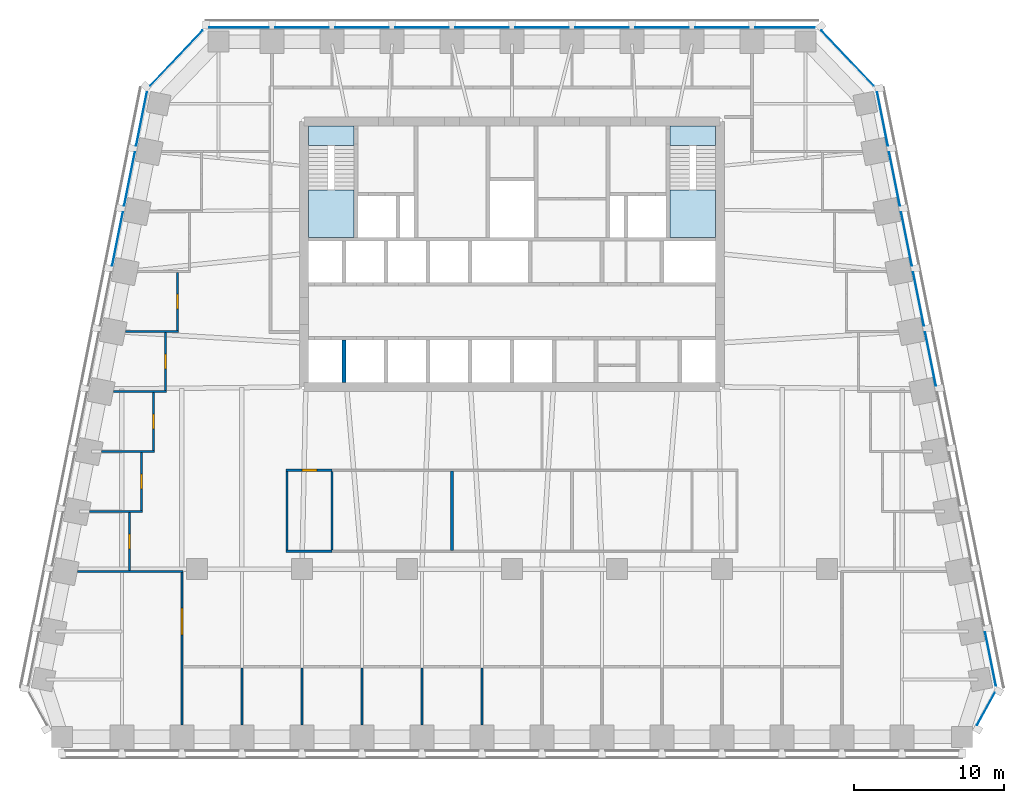
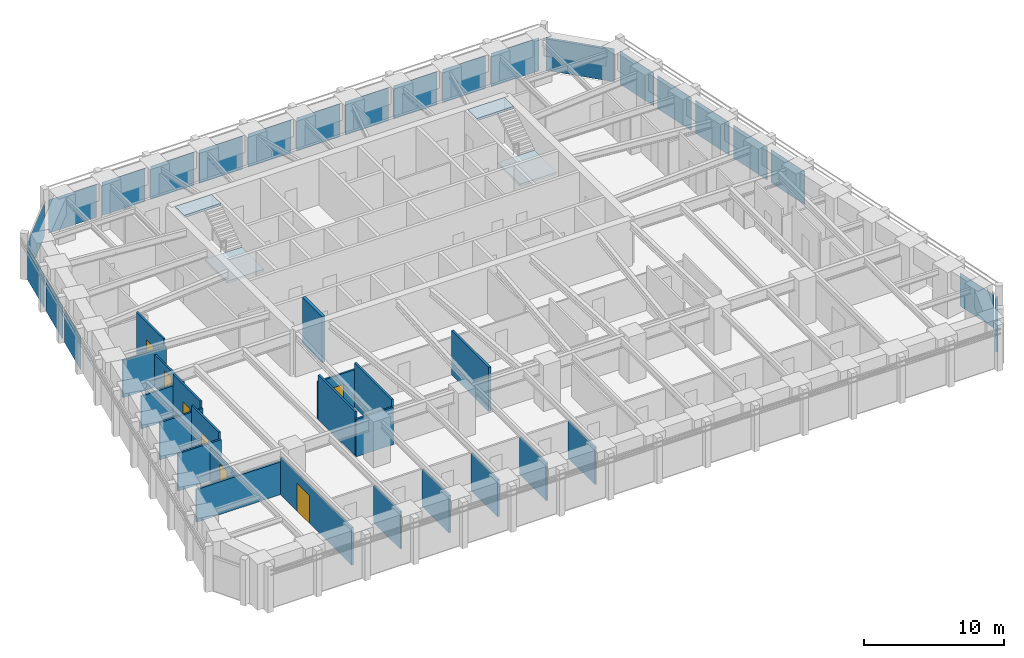
# One storey, part 5 of 11: 22 plates, 22 walls, 7 doors, 4 slabs, 7 openings, 8 elements without a shape of their own.
"""IFC4 building model written with IfcOpenShell, lengths in metres."""

from ifc_helpers import new_model, si_unit, direction, frame, frame_2d, origin, origin_2d, place, context, subcontext, project, spatial, polyline, rectangle, outline, extrude, material, layer, layer_set, type_object, element, fill, aggregate, save


model = new_model("IFC4")

# Units and contexts
model_context = context("Model", 3, precision=1e-05, world=origin(), true_north=direction((0.0, 1.0)))
body_context = subcontext(model_context, "Body", "Model", "MODEL_VIEW")
ifc_project = project(units=[si_unit("LENGTHUNIT", "METRE"), si_unit("AREAUNIT", "SQUARE_METRE"), si_unit("VOLUMEUNIT", "CUBIC_METRE"), si_unit("PLANEANGLEUNIT", "RADIAN"), si_unit("MASSUNIT", "GRAM", prefix="KILO")], contexts=[model_context])

# Site, building, storey
site_placement = place(None, origin())
site = spatial("IfcSite", under=ifc_project, at=site_placement, CompositionType="ELEMENT")
building_placement = place(site_placement, origin())
building = spatial("IfcBuilding", under=site, at=building_placement, Name="Isbrekke Arena Tower", CompositionType="ELEMENT")
storey_placement = place(building_placement, frame((0.0, 0.0, 202.0)))
storey = spatial("IfcBuildingStorey", under=building, at=storey_placement, Name="L46", CompositionType="ELEMENT", Elevation=202.0)

# Curtain wall, plate
ifc_material_1 = material(Name="Glazed aluminium curtain wall", Category="aluminium")
curtain_wall_type = type_object("IfcCurtainWallType", Name="CWH TOWER CURTAIN WALL HIGH ZONE", PredefinedType="USERDEFINED", material=ifc_material_1)
curtain_wall_1_placement = place(storey_placement, origin())
curtain_wall_1 = element("IfcCurtainWall", 1, at=curtain_wall_1_placement, inside=storey, type_object=curtain_wall_type, Name="CWH curtain wall L46-SE", ObjectType="TOWER CURTAIN WALL HIGH ZONE", PredefinedType="USERDEFINED")
ifc_material_2 = material(Name="Triple-glazed clear glass unit", Category="glass")
ifc_layer_1 = layer(ifc_material_2, 0.031982421875)
ifc_layer_set_1 = layer_set([ifc_layer_1], Name="CWH-P VISION PANEL")
plate_type = type_object("IfcPlateType", Name="CWH-P VISION PANEL", PredefinedType="CURTAIN_PANEL", material=ifc_layer_set_1)
plate_1_placement = place(storey_placement, frame((31.5908203125, -15.3154296875, 0.02001953125), z_axis=(0.0, 0.0, 1.0), x_axis=(0.481918749773, 0.876215908676, 0.0)))
plate_1 = element("IfcPlate", 2, at=plate_1_placement, type_object=plate_type, Name="CWH-P panel 1", PredefinedType="CURTAIN_PANEL", context=body_context, shape_type="SweptSolid", body=[
    extrude(rectangle(XDim=2.4423828125, YDim=0.031982421875, at=origin_2d()), origin(), (0.0, 0.0, 1.0), 2.8798828125),
])
aggregate(curtain_wall_1, [plate_1])

# Curtain wall, plates
curtain_wall_2_placement = place(storey_placement, origin())
curtain_wall_2 = element("IfcCurtainWall", 3, at=curtain_wall_2_placement, inside=storey, type_object=curtain_wall_type, Name="CWH curtain wall L46-E", ObjectType="TOWER CURTAIN WALL HIGH ZONE", PredefinedType="USERDEFINED")
plate_2_placement = place(storey_placement, frame((31.89794921875, -11.98046875, 0.02001953125), z_axis=(0.0, 0.0, 1.0), x_axis=(-0.196116135138, 0.980580675691, 0.0)))
plate_2 = element("IfcPlate", 4, at=plate_2_placement, type_object=plate_type, Name="CWH-P panel 1", PredefinedType="CURTAIN_PANEL", context=body_context, shape_type="SweptSolid", body=[
    extrude(rectangle(XDim=3.629150390625, YDim=0.031982421875, at=origin_2d()), origin(), (0.0, 0.0, 1.0), 2.8798828125),
])
plate_3_placement = place(storey_placement, frame((27.89794921875, 8.01953125, 0.02001953125), z_axis=(0.0, 0.0, 1.0), x_axis=(-0.196116135138, 0.980580675691, 0.0)))
plate_3 = element("IfcPlate", 5, at=plate_3_placement, type_object=plate_type, Name="CWH-P panel 6", PredefinedType="CURTAIN_PANEL", context=body_context, shape_type="SweptSolid", body=[
    extrude(rectangle(XDim=3.629150390625, YDim=0.031982421875, at=origin_2d()), origin(), (0.0, 0.0, 1.0), 2.8798828125),
])
plate_4_placement = place(storey_placement, frame((27.09814453125, 12.01953125, 0.02001953125), z_axis=(0.0, 0.0, 1.0), x_axis=(-0.196116135138, 0.980580675691, 0.0)))
plate_4 = element("IfcPlate", 6, at=plate_4_placement, type_object=plate_type, Name="CWH-P panel 7", PredefinedType="CURTAIN_PANEL", context=body_context, shape_type="SweptSolid", body=[
    extrude(rectangle(XDim=3.629150390625, YDim=0.031982421875, at=origin_2d()), origin(), (0.0, 0.0, 1.0), 2.8798828125),
])
plate_5_placement = place(storey_placement, frame((26.298095703125, 16.01953125, 0.02001953125), z_axis=(0.0, 0.0, 1.0), x_axis=(-0.196116135138, 0.980580675691, 0.0)))
plate_5 = element("IfcPlate", 7, at=plate_5_placement, type_object=plate_type, Name="CWH-P panel 8", PredefinedType="CURTAIN_PANEL", context=body_context, shape_type="SweptSolid", body=[
    extrude(rectangle(XDim=3.629150390625, YDim=0.031982421875, at=origin_2d()), origin(), (0.0, 0.0, 1.0), 2.8798828125),
])
plate_6_placement = place(storey_placement, frame((25.498046875, 20.01953125, 0.02001953125), z_axis=(0.0, 0.0, 1.0), x_axis=(-0.196116135138, 0.980580675691, 0.0)))
plate_6 = element("IfcPlate", 8, at=plate_6_placement, type_object=plate_type, Name="CWH-P panel 9", PredefinedType="CURTAIN_PANEL", context=body_context, shape_type="SweptSolid", body=[
    extrude(rectangle(XDim=3.629150390625, YDim=0.031982421875, at=origin_2d()), origin(), (0.0, 0.0, 1.0), 2.8798828125),
])
plate_7_placement = place(storey_placement, frame((24.697998046875, 24.01953125, 0.02001953125), z_axis=(0.0, 0.0, 1.0), x_axis=(-0.196116135138, 0.980580675691, 0.0)))
plate_7 = element("IfcPlate", 9, at=plate_7_placement, type_object=plate_type, Name="CWH-P panel 10", PredefinedType="CURTAIN_PANEL", context=body_context, shape_type="SweptSolid", body=[
    extrude(rectangle(XDim=3.629150390625, YDim=0.031982421875, at=origin_2d()), origin(), (0.0, 0.0, 1.0), 2.8798828125),
])
aggregate(curtain_wall_2, [plate_2, plate_3, plate_4, plate_5, plate_6, plate_7])

# Curtain wall, plate
curtain_wall_3_placement = place(storey_placement, origin())
curtain_wall_3 = element("IfcCurtainWall", 10, at=curtain_wall_3_placement, inside=storey, type_object=curtain_wall_type, Name="CWH curtain wall L46-EN", ObjectType="TOWER CURTAIN WALL HIGH ZONE", PredefinedType="USERDEFINED")
plate_8_placement = place(storey_placement, frame((22.37255859375, 28.06884765625, 0.02001953125), z_axis=(0.0, 0.0, 1.0), x_axis=(-0.68874946192, 0.72499943359, 0.0)))
plate_8 = element("IfcPlate", 11, at=plate_8_placement, type_object=plate_type, Name="CWH-P panel 1", PredefinedType="CURTAIN_PANEL", context=body_context, shape_type="SweptSolid", body=[
    extrude(rectangle(XDim=5.067138671875, YDim=0.031982421875, at=origin_2d()), origin(), (0.0, 0.0, 1.0), 2.8798828125),
])
aggregate(curtain_wall_3, [plate_8])

# Curtain wall, plates
curtain_wall_4_placement = place(storey_placement, origin())
curtain_wall_4 = element("IfcCurtainWall", 12, at=curtain_wall_4_placement, inside=storey, type_object=curtain_wall_type, Name="CWH curtain wall L46-N", ObjectType="TOWER CURTAIN WALL HIGH ZONE", PredefinedType="USERDEFINED")
plate_9_placement = place(storey_placement, frame((18.199951171875, 30.10009765625, 0.02001953125), z_axis=(0.0, 0.0, 1.0), x_axis=(-1.0, 0.0, 0.0)))
plate_9 = element("IfcPlate", 13, at=plate_9_placement, type_object=plate_type, Name="CWH-P panel 1", PredefinedType="CURTAIN_PANEL", context=body_context, shape_type="SweptSolid", body=[
    extrude(rectangle(XDim=3.949951171875, YDim=0.031982421875, at=origin_2d()), origin(), (0.0, 0.0, 1.0), 2.8798828125),
])
plate_10_placement = place(storey_placement, frame((14.0, 30.10009765625, 0.02001953125), z_axis=(0.0, 0.0, 1.0), x_axis=(-1.0, 0.0, 0.0)))
plate_10 = element("IfcPlate", 14, at=plate_10_placement, type_object=plate_type, Name="CWH-P panel 2", PredefinedType="CURTAIN_PANEL", context=body_context, shape_type="SweptSolid", body=[
    extrude(rectangle(XDim=3.550048828125, YDim=0.031982421875, at=origin_2d()), origin(), (0.0, 0.0, 1.0), 2.8798828125),
])
plate_11_placement = place(storey_placement, frame((10.0, 30.10009765625, 0.02001953125), z_axis=(0.0, 0.0, 1.0), x_axis=(-1.0, 0.0, 0.0)))
plate_11 = element("IfcPlate", 15, at=plate_11_placement, type_object=plate_type, Name="CWH-P panel 3", PredefinedType="CURTAIN_PANEL", context=body_context, shape_type="SweptSolid", body=[
    extrude(rectangle(XDim=3.550048828125, YDim=0.031982421875, at=origin_2d()), origin(), (0.0, 0.0, 1.0), 2.8798828125),
])
plate_12_placement = place(storey_placement, frame((6.0, 30.10009765625, 0.02001953125), z_axis=(0.0, 0.0, 1.0), x_axis=(-1.0, 0.0, 0.0)))
plate_12 = element("IfcPlate", 16, at=plate_12_placement, type_object=plate_type, Name="CWH-P panel 4", PredefinedType="CURTAIN_PANEL", context=body_context, shape_type="SweptSolid", body=[
    extrude(rectangle(XDim=3.550048828125, YDim=0.031982421875, at=origin_2d()), origin(), (0.0, 0.0, 1.0), 2.8798828125),
])
plate_13_placement = place(storey_placement, frame((2.0, 30.10009765625, 0.02001953125), z_axis=(0.0, 0.0, 1.0), x_axis=(-1.0, 0.0, 0.0)))
plate_13 = element("IfcPlate", 17, at=plate_13_placement, type_object=plate_type, Name="CWH-P panel 5", PredefinedType="CURTAIN_PANEL", context=body_context, shape_type="SweptSolid", body=[
    extrude(rectangle(XDim=3.550048828125, YDim=0.031982421875, at=origin_2d()), origin(), (0.0, 0.0, 1.0), 2.8798828125),
])
plate_14_placement = place(storey_placement, frame((-2.0, 30.10009765625, 0.02001953125), z_axis=(0.0, 0.0, 1.0), x_axis=(-1.0, 0.0, 0.0)))
plate_14 = element("IfcPlate", 18, at=plate_14_placement, type_object=plate_type, Name="CWH-P panel 6", PredefinedType="CURTAIN_PANEL", context=body_context, shape_type="SweptSolid", body=[
    extrude(rectangle(XDim=3.550048828125, YDim=0.031982421875, at=origin_2d()), origin(), (0.0, 0.0, 1.0), 2.8798828125),
])
plate_15_placement = place(storey_placement, frame((-6.0, 30.10009765625, 0.02001953125), z_axis=(0.0, 0.0, 1.0), x_axis=(-1.0, 0.0, 0.0)))
plate_15 = element("IfcPlate", 19, at=plate_15_placement, type_object=plate_type, Name="CWH-P panel 7", PredefinedType="CURTAIN_PANEL", context=body_context, shape_type="SweptSolid", body=[
    extrude(rectangle(XDim=3.550048828125, YDim=0.031982421875, at=origin_2d()), origin(), (0.0, 0.0, 1.0), 2.8798828125),
])
plate_16_placement = place(storey_placement, frame((-10.0, 30.10009765625, 0.02001953125), z_axis=(0.0, 0.0, 1.0), x_axis=(-1.0, 0.0, 0.0)))
plate_16 = element("IfcPlate", 20, at=plate_16_placement, type_object=plate_type, Name="CWH-P panel 8", PredefinedType="CURTAIN_PANEL", context=body_context, shape_type="SweptSolid", body=[
    extrude(rectangle(XDim=3.550048828125, YDim=0.031982421875, at=origin_2d()), origin(), (0.0, 0.0, 1.0), 2.8798828125),
])
plate_17_placement = place(storey_placement, frame((-14.0, 30.10009765625, 0.02001953125), z_axis=(0.0, 0.0, 1.0), x_axis=(-1.0, 0.0, 0.0)))
plate_17 = element("IfcPlate", 21, at=plate_17_placement, type_object=plate_type, Name="CWH-P panel 9", PredefinedType="CURTAIN_PANEL", context=body_context, shape_type="SweptSolid", body=[
    extrude(rectangle(XDim=3.550048828125, YDim=0.031982421875, at=origin_2d()), origin(), (0.0, 0.0, 1.0), 2.8798828125),
])
plate_18_placement = place(storey_placement, frame((-18.199951171875, 30.10009765625, 0.02001953125), z_axis=(0.0, 0.0, 1.0), x_axis=(-1.0, 0.0, 0.0)))
plate_18 = element("IfcPlate", 22, at=plate_18_placement, type_object=plate_type, Name="CWH-P panel 10", PredefinedType="CURTAIN_PANEL", context=body_context, shape_type="SweptSolid", body=[
    extrude(rectangle(XDim=3.949951171875, YDim=0.031982421875, at=origin_2d()), origin(), (0.0, 0.0, 1.0), 2.8798828125),
])
aggregate(curtain_wall_4, [plate_9, plate_10, plate_11, plate_12, plate_13, plate_14, plate_15, plate_16, plate_17, plate_18])

# Curtain wall, plate
curtain_wall_5_placement = place(storey_placement, origin())
curtain_wall_5 = element("IfcCurtainWall", 23, at=curtain_wall_5_placement, inside=storey, type_object=curtain_wall_type, Name="CWH curtain wall L46-NW", ObjectType="TOWER CURTAIN WALL HIGH ZONE", PredefinedType="USERDEFINED")
plate_19_placement = place(storey_placement, frame((-22.37255859375, 28.06884765625, 0.02001953125), z_axis=(0.0, 0.0, 1.0), x_axis=(-0.68874946192, -0.72499943359, 0.0)))
plate_19 = element("IfcPlate", 24, at=plate_19_placement, type_object=plate_type, Name="CWH-P panel 1", PredefinedType="CURTAIN_PANEL", context=body_context, shape_type="SweptSolid", body=[
    extrude(rectangle(XDim=5.067138671875, YDim=0.031982421875, at=origin_2d()), origin(), (0.0, 0.0, 1.0), 2.8798828125),
])
aggregate(curtain_wall_5, [plate_19])

# Curtain wall, plates
curtain_wall_6_placement = place(storey_placement, origin())
curtain_wall_6 = element("IfcCurtainWall", 25, at=curtain_wall_6_placement, inside=storey, type_object=curtain_wall_type, Name="CWH curtain wall L46-W", ObjectType="TOWER CURTAIN WALL HIGH ZONE", PredefinedType="USERDEFINED")
plate_20_placement = place(storey_placement, frame((-24.697998046875, 24.01953125, 0.02001953125), z_axis=(0.0, 0.0, 1.0), x_axis=(-0.196116135138, -0.980580675691, 0.0)))
plate_20 = element("IfcPlate", 26, at=plate_20_placement, type_object=plate_type, Name="CWH-P panel 1", PredefinedType="CURTAIN_PANEL", context=body_context, shape_type="SweptSolid", body=[
    extrude(rectangle(XDim=3.629150390625, YDim=0.031982421875, at=origin_2d()), origin(), (0.0, 0.0, 1.0), 2.8798828125),
])
plate_21_placement = place(storey_placement, frame((-25.498046875, 20.01953125, 0.02001953125), z_axis=(0.0, 0.0, 1.0), x_axis=(-0.196116135138, -0.980580675691, 0.0)))
plate_21 = element("IfcPlate", 27, at=plate_21_placement, type_object=plate_type, Name="CWH-P panel 2", PredefinedType="CURTAIN_PANEL", context=body_context, shape_type="SweptSolid", body=[
    extrude(rectangle(XDim=3.629150390625, YDim=0.031982421875, at=origin_2d()), origin(), (0.0, 0.0, 1.0), 2.8798828125),
])
plate_22_placement = place(storey_placement, frame((-26.298095703125, 16.01953125, 0.02001953125), z_axis=(0.0, 0.0, 1.0), x_axis=(-0.196116135138, -0.980580675691, 0.0)))
plate_22 = element("IfcPlate", 28, at=plate_22_placement, type_object=plate_type, Name="CWH-P panel 3", PredefinedType="CURTAIN_PANEL", context=body_context, shape_type="SweptSolid", body=[
    extrude(rectangle(XDim=3.629150390625, YDim=0.031982421875, at=origin_2d()), origin(), (0.0, 0.0, 1.0), 2.8798828125),
])
aggregate(curtain_wall_6, [plate_20, plate_21, plate_22])

# Stair, slabs
ifc_material_3 = material(Name="Concrete B45 (C45/55) precast", Category="concrete")
stair_type = type_object("IfcStairType", Name="ST40 STAIR 1300 WIDE, 24 RISERS 167", PredefinedType="HALF_TURN_STAIR", material=ifc_material_3)
stair_1_placement = place(storey_placement, origin())
stair_1 = element("IfcStair", 29, at=stair_1_placement, inside=storey, type_object=stair_type, Name="ST1 stair L46", PredefinedType="HALF_TURN_STAIR")
ifc_material_4 = material(Name="Concrete B35 (C35/45)", Category="concrete")
ifc_layer_2 = layer(ifc_material_4, 0.199951171875)
ifc_layer_set_2 = layer_set([ifc_layer_2], Name="SL1 STAIR LANDING 200")
slab_type = type_object("IfcSlabType", Name="SL1 STAIR LANDING 200", PredefinedType="LANDING", material=ifc_layer_set_2)
slab_1_placement = place(storey_placement, frame((0.0, 0.0, 1.800048828125)))
slab_1 = element("IfcSlab", 30, at=slab_1_placement, type_object=slab_type, Name="ST1 landing 1", PredefinedType="LANDING", context=body_context, shape_type="SweptSolid", body=[
    extrude(outline(polyline([(-13.550048828125, 16.125), (-10.52490234375, 16.125), (-10.52490234375, 19.280029296875), (-13.550048828125, 19.280029296875), (-13.550048828125, 16.125)])), origin(), (0.0, 0.0, 1.0), 0.199951171875),
])
slab_2_placement = place(storey_placement, frame((0.0, 0.0, 3.800048828125)))
slab_2 = element("IfcSlab", 31, at=slab_2_placement, type_object=slab_type, Name="ST1 landing 2", PredefinedType="LANDING", context=body_context, shape_type="SweptSolid", body=[
    extrude(outline(polyline([(-13.550048828125, 22.25), (-10.52490234375, 22.25), (-10.52490234375, 23.550048828125), (-13.550048828125, 23.550048828125), (-13.550048828125, 22.25)])), origin(), (0.0, 0.0, 1.0), 0.199951171875),
])
aggregate(stair_1, [slab_1, slab_2])

stair_2_placement = place(storey_placement, origin())
stair_2 = element("IfcStair", 32, at=stair_2_placement, inside=storey, type_object=stair_type, Name="ST2 stair L46", PredefinedType="HALF_TURN_STAIR")
slab_3_placement = place(storey_placement, frame((0.0, 0.0, 1.800048828125)))
slab_3 = element("IfcSlab", 33, at=slab_3_placement, type_object=slab_type, Name="ST2 landing 1", PredefinedType="LANDING", context=body_context, shape_type="SweptSolid", body=[
    extrude(outline(polyline([(10.52490234375, 16.125), (13.550048828125, 16.125), (13.550048828125, 19.280029296875), (10.52490234375, 19.280029296875), (10.52490234375, 16.125)])), origin(), (0.0, 0.0, 1.0), 0.199951171875),
])
slab_4_placement = place(storey_placement, frame((0.0, 0.0, 3.800048828125)))
slab_4 = element("IfcSlab", 34, at=slab_4_placement, type_object=slab_type, Name="ST2 landing 2", PredefinedType="LANDING", context=body_context, shape_type="SweptSolid", body=[
    extrude(outline(polyline([(10.52490234375, 22.25), (13.550048828125, 22.25), (13.550048828125, 23.550048828125), (10.52490234375, 23.550048828125), (10.52490234375, 22.25)])), origin(), (0.0, 0.0, 1.0), 0.199951171875),
])
aggregate(stair_2, [slab_3, slab_4])

# Walls
ifc_material_5 = material(Name="Concrete B45 (C45/55)", Category="concrete")
ifc_layer_3 = layer(ifc_material_5, 0.25)
ifc_layer_set_3 = layer_set([ifc_layer_3], Name="CW6 SHAFT WALL 250")
wall_type_1 = type_object("IfcWallType", Name="CW6 SHAFT WALL 250", PredefinedType="SHEAR", material=ifc_layer_set_3)
wall_1_placement = place(storey_placement, frame((-11.199951171875, 6.449951171875, 0.0), z_axis=(0.0, 0.0, 1.0), x_axis=(0.0, 1.0, 0.0)))
element("IfcWall", 35, at=wall_1_placement, inside=storey, type_object=wall_type_1, Name="Core wall SS01 L46", PredefinedType="SHEAR", context=body_context, shape_type="SweptSolid", body=[
    extrude(rectangle(XDim=2.824951171875, YDim=0.25, at=frame_2d((1.41259765625, 0.0))), origin(), (0.0, 0.0, 1.0), 4.0),
])
ifc_material_6 = material(Name="Gypsum board partition on steel studs", Category="steel")
ifc_layer_4 = layer(ifc_material_6, 0.14990234375)
ifc_layer_set_4 = layer_set([ifc_layer_4], Name="IW1 PARTITION 150")
wall_type_2 = type_object("IfcWallType", Name="IW1 PARTITION 150", PredefinedType="PARTITIONING", material=ifc_layer_set_4)
wall_2_placement = place(storey_placement, frame((-28.974853515625, -6.159912109375, 0.0), z_axis=(0.0, 0.0, 1.0), x_axis=(1.0, 0.0, 0.0)))
element("IfcWall", 36, at=wall_2_placement, inside=storey, type_object=wall_type_2, Name="IW1 partition 150 L46", PredefinedType="PARTITIONING", context=body_context, shape_type="SweptSolid", body=[
    extrude(rectangle(XDim=7.0498046875, YDim=0.14990234375, at=frame_2d((3.52490234375, 0.0))), origin(), (0.0, 0.0, 1.0), 2.842041015625),
])
wall_3_placement = place(storey_placement, frame((-15.074951171875, -4.800048828125, 0.0), z_axis=(0.0, 0.0, 1.0), x_axis=(1.0, 0.0, 0.0)))
element("IfcWall", 37, at=wall_3_placement, inside=storey, type_object=wall_type_2, Name="IW1 partition 150 L46", PredefinedType="PARTITIONING", context=body_context, shape_type="SweptSolid", body=[
    extrude(rectangle(XDim=3.074951171875, YDim=0.14990234375, at=frame_2d((1.53759765625, 0.0))), origin(), (0.0, 0.0, 1.0), 3.25),
])
wall_4_placement = place(storey_placement, frame((-28.1748046875, -2.159912109375, 0.0), z_axis=(0.0, 0.0, 1.0), x_axis=(1.0, 0.0, 0.0)))
element("IfcWall", 38, at=wall_4_placement, inside=storey, type_object=wall_type_2, Name="IW1 partition 150 L46", PredefinedType="PARTITIONING", context=body_context, shape_type="SweptSolid", body=[
    extrude(rectangle(XDim=3.5498046875, YDim=0.14990234375, at=frame_2d((1.77490234375, 0.0))), origin(), (0.0, 0.0, 1.0), 3.25),
])

# Wall, opening, door
wall_5_placement = place(storey_placement, frame((-15.074951171875, 0.60009765625, 0.0), z_axis=(0.0, 0.0, 1.0), x_axis=(1.0, 0.0, 0.0)))
wall_5 = element("IfcWall", 39, at=wall_5_placement, inside=storey, type_object=wall_type_2, Name="IW1 partition 150 L46", PredefinedType="PARTITIONING", context=body_context, shape_type="SweptSolid", body=[
    extrude(rectangle(XDim=3.074951171875, YDim=0.14990234375, at=frame_2d((1.53759765625, 0.0))), origin(), (0.0, 0.0, 1.0), 3.25),
])
opening_1_placement = place(wall_5_placement, frame((1.074951171875, 0.0, 0.0)))
opening_1 = element("IfcOpeningElement", 40, at=opening_1_placement, cuts=wall_5, Name="Opening D10", PredefinedType="OPENING", context=body_context, shape_type="SweptSolid", body=[
    extrude(rectangle(XDim=1.0, YDim=2.300048828125, at=frame_2d((0.5, 1.14990234375))), frame((0.0, 0.08984375, 0.0), z_axis=(0.0, -1.0, 0.0), x_axis=(1.0, 0.0, 0.0)), (0.0, 0.0, 1.0), 0.1796875),
])
ifc_material_7 = material(Name="Timber door", Category="wood")
door_type_1 = type_object("IfcDoorType", Name="D10 OFFICE DOOR 1000 x 2300", OperationType="SINGLE_SWING_LEFT", PredefinedType="DOOR", material=ifc_material_7)
door_1_placement = place(opening_1_placement, origin())
door_1 = element("IfcDoor", 41, at=door_1_placement, inside=storey, type_object=door_type_1, Name="D10 pantry door L46", OperationType="SINGLE_SWING_LEFT", OverallHeight=2.300048828125, OverallWidth=1.0, PredefinedType="DOOR", context=body_context, shape_type="SweptSolid", body=[
    extrude(rectangle(XDim=1.0, YDim=2.300048828125, at=frame_2d((0.5, 1.14990234375))), frame((0.0, 0.07470703125, 0.0), z_axis=(0.0, -1.0, 0.0), x_axis=(1.0, 0.0, 0.0)), (0.0, 0.0, 1.0), 0.1494140625),
])
fill(opening_1, door_1)

# Walls
wall_6_placement = place(storey_placement, frame((-27.374755859375, 1.840087890625, 0.0), z_axis=(0.0, 0.0, 1.0), x_axis=(1.0, 0.0, 0.0)))
element("IfcWall", 42, at=wall_6_placement, inside=storey, type_object=wall_type_2, Name="IW1 partition 150 L46", PredefinedType="PARTITIONING", context=body_context, shape_type="SweptSolid", body=[
    extrude(rectangle(XDim=3.5498046875, YDim=0.14990234375, at=frame_2d((1.77490234375, 0.0))), origin(), (0.0, 0.0, 1.0), 3.25),
])
wall_7_placement = place(storey_placement, frame((-26.57470703125, 5.840087890625, 0.0), z_axis=(0.0, 0.0, 1.0), x_axis=(1.0, 0.0, 0.0)))
element("IfcWall", 43, at=wall_7_placement, inside=storey, type_object=wall_type_2, Name="IW1 partition 150 L46", PredefinedType="PARTITIONING", context=body_context, shape_type="SweptSolid", body=[
    extrude(rectangle(XDim=3.5498046875, YDim=0.14990234375, at=frame_2d((1.77490234375, 0.0))), origin(), (0.0, 0.0, 1.0), 2.842041015625),
])
wall_8_placement = place(storey_placement, frame((-25.77490234375, 9.840087890625, 0.0), z_axis=(0.0, 0.0, 1.0), x_axis=(1.0, 0.0, 0.0)))
element("IfcWall", 44, at=wall_8_placement, inside=storey, type_object=wall_type_2, Name="IW1 partition 150 L46", PredefinedType="PARTITIONING", context=body_context, shape_type="SweptSolid", body=[
    extrude(rectangle(XDim=3.5498046875, YDim=0.14990234375, at=frame_2d((1.77490234375, 0.0))), origin(), (0.0, 0.0, 1.0), 3.25),
])

# Wall, opening, door
wall_9_placement = place(storey_placement, frame((-25.5, -6.0849609375, 0.0), z_axis=(0.0, 0.0, 1.0), x_axis=(0.0, 1.0, 0.0)))
wall_9 = element("IfcWall", 45, at=wall_9_placement, inside=storey, type_object=wall_type_2, Name="IW1 partition 150 L46", PredefinedType="PARTITIONING", context=body_context, shape_type="SweptSolid", body=[
    extrude(rectangle(XDim=3.849853515625, YDim=0.14990234375, at=frame_2d((1.9248046875, 0.0))), origin(), (0.0, 0.0, 1.0), 2.842041015625),
])
opening_2_placement = place(wall_9_placement, frame((1.425048828125, 0.0, 0.0)))
opening_2 = element("IfcOpeningElement", 46, at=opening_2_placement, cuts=wall_9, Name="Opening D10", PredefinedType="OPENING", context=body_context, shape_type="SweptSolid", body=[
    extrude(rectangle(XDim=1.0, YDim=2.300048828125, at=frame_2d((0.5, 1.14990234375))), frame((0.0, 0.08984375, 0.0), z_axis=(0.0, -1.0, 0.0), x_axis=(1.0, 0.0, 0.0)), (0.0, 0.0, 1.0), 0.1796875),
])
door_2_placement = place(opening_2_placement, origin())
door_2 = element("IfcDoor", 47, at=door_2_placement, inside=storey, type_object=door_type_1, Name="D10 office door L46", OperationType="SINGLE_SWING_LEFT", OverallHeight=2.300048828125, OverallWidth=1.0, PredefinedType="DOOR", context=body_context, shape_type="SweptSolid", body=[
    extrude(rectangle(XDim=1.0, YDim=2.300048828125, at=frame_2d((0.5, 1.14990234375))), frame((0.0, 0.07470703125, 0.0), z_axis=(0.0, -1.0, 0.0), x_axis=(1.0, 0.0, 0.0)), (0.0, 0.0, 1.0), 0.1494140625),
])
fill(opening_2, door_2)

wall_10_placement = place(storey_placement, frame((-24.699951171875, -2.0849609375, 0.0), z_axis=(0.0, 0.0, 1.0), x_axis=(0.0, 1.0, 0.0)))
wall_10 = element("IfcWall", 48, at=wall_10_placement, inside=storey, type_object=wall_type_2, Name="IW1 partition 150 L46", PredefinedType="PARTITIONING", context=body_context, shape_type="SweptSolid", body=[
    extrude(rectangle(XDim=3.849853515625, YDim=0.14990234375, at=frame_2d((1.9248046875, 0.0))), origin(), (0.0, 0.0, 1.0), 3.85009765625),
])
opening_3_placement = place(wall_10_placement, frame((1.425048828125, 0.0, 0.0)))
opening_3 = element("IfcOpeningElement", 49, at=opening_3_placement, cuts=wall_10, Name="Opening D10", PredefinedType="OPENING", context=body_context, shape_type="SweptSolid", body=[
    extrude(rectangle(XDim=1.0, YDim=2.300048828125, at=frame_2d((0.5, 1.14990234375))), frame((0.0, 0.08984375, 0.0), z_axis=(0.0, -1.0, 0.0), x_axis=(1.0, 0.0, 0.0)), (0.0, 0.0, 1.0), 0.1796875),
])
door_3_placement = place(opening_3_placement, origin())
door_3 = element("IfcDoor", 50, at=door_3_placement, inside=storey, type_object=door_type_1, Name="D10 office door L46", OperationType="SINGLE_SWING_LEFT", OverallHeight=2.300048828125, OverallWidth=1.0, PredefinedType="DOOR", context=body_context, shape_type="SweptSolid", body=[
    extrude(rectangle(XDim=1.0, YDim=2.300048828125, at=frame_2d((0.5, 1.14990234375))), frame((0.0, 0.07470703125, 0.0), z_axis=(0.0, -1.0, 0.0), x_axis=(1.0, 0.0, 0.0)), (0.0, 0.0, 1.0), 0.1494140625),
])
fill(opening_3, door_3)

wall_11_placement = place(storey_placement, frame((-23.89990234375, 1.9150390625, 0.0), z_axis=(0.0, 0.0, 1.0), x_axis=(0.0, 1.0, 0.0)))
wall_11 = element("IfcWall", 51, at=wall_11_placement, inside=storey, type_object=wall_type_2, Name="IW1 partition 150 L46", PredefinedType="PARTITIONING", context=body_context, shape_type="SweptSolid", body=[
    extrude(rectangle(XDim=3.849853515625, YDim=0.14990234375, at=frame_2d((1.9248046875, 0.0))), origin(), (0.0, 0.0, 1.0), 3.85009765625),
])
opening_4_placement = place(wall_11_placement, frame((1.425048828125, 0.0, 0.0)))
opening_4 = element("IfcOpeningElement", 52, at=opening_4_placement, cuts=wall_11, Name="Opening D10", PredefinedType="OPENING", context=body_context, shape_type="SweptSolid", body=[
    extrude(rectangle(XDim=1.0, YDim=2.300048828125, at=frame_2d((0.5, 1.14990234375))), frame((0.0, 0.08984375, 0.0), z_axis=(0.0, -1.0, 0.0), x_axis=(1.0, 0.0, 0.0)), (0.0, 0.0, 1.0), 0.1796875),
])
door_4_placement = place(opening_4_placement, origin())
door_4 = element("IfcDoor", 53, at=door_4_placement, inside=storey, type_object=door_type_1, Name="D10 office door L46", OperationType="SINGLE_SWING_LEFT", OverallHeight=2.300048828125, OverallWidth=1.0, PredefinedType="DOOR", context=body_context, shape_type="SweptSolid", body=[
    extrude(rectangle(XDim=1.0, YDim=2.300048828125, at=frame_2d((0.5, 1.14990234375))), frame((0.0, 0.07470703125, 0.0), z_axis=(0.0, -1.0, 0.0), x_axis=(1.0, 0.0, 0.0)), (0.0, 0.0, 1.0), 0.1494140625),
])
fill(opening_4, door_4)

wall_12_placement = place(storey_placement, frame((-23.10009765625, 5.9150390625, 0.0), z_axis=(0.0, 0.0, 1.0), x_axis=(0.0, 1.0, 0.0)))
wall_12 = element("IfcWall", 54, at=wall_12_placement, inside=storey, type_object=wall_type_2, Name="IW1 partition 150 L46", PredefinedType="PARTITIONING", context=body_context, shape_type="SweptSolid", body=[
    extrude(rectangle(XDim=3.849853515625, YDim=0.14990234375, at=frame_2d((1.9248046875, 0.0))), origin(), (0.0, 0.0, 1.0), 2.842041015625),
])
opening_5_placement = place(wall_12_placement, frame((1.425048828125, 0.0, 0.0)))
opening_5 = element("IfcOpeningElement", 55, at=opening_5_placement, cuts=wall_12, Name="Opening D10", PredefinedType="OPENING", context=body_context, shape_type="SweptSolid", body=[
    extrude(rectangle(XDim=1.0, YDim=2.300048828125, at=frame_2d((0.5, 1.14990234375))), frame((0.0, 0.08984375, 0.0), z_axis=(0.0, -1.0, 0.0), x_axis=(1.0, 0.0, 0.0)), (0.0, 0.0, 1.0), 0.1796875),
])
door_5_placement = place(opening_5_placement, origin())
door_5 = element("IfcDoor", 56, at=door_5_placement, inside=storey, type_object=door_type_1, Name="D10 office door L46", OperationType="SINGLE_SWING_LEFT", OverallHeight=2.300048828125, OverallWidth=1.0, PredefinedType="DOOR", context=body_context, shape_type="SweptSolid", body=[
    extrude(rectangle(XDim=1.0, YDim=2.300048828125, at=frame_2d((0.5, 1.14990234375))), frame((0.0, 0.07470703125, 0.0), z_axis=(0.0, -1.0, 0.0), x_axis=(1.0, 0.0, 0.0)), (0.0, 0.0, 1.0), 0.1494140625),
])
fill(opening_5, door_5)

wall_13_placement = place(storey_placement, frame((-22.300048828125, 9.9150390625, 0.0), z_axis=(0.0, 0.0, 1.0), x_axis=(0.0, 1.0, 0.0)))
wall_13 = element("IfcWall", 57, at=wall_13_placement, inside=storey, type_object=wall_type_2, Name="IW1 partition 150 L46", PredefinedType="PARTITIONING", context=body_context, shape_type="SweptSolid", body=[
    extrude(rectangle(XDim=3.849853515625, YDim=0.14990234375, at=frame_2d((1.9248046875, 0.0))), origin(), (0.0, 0.0, 1.0), 3.85009765625),
])
opening_6_placement = place(wall_13_placement, frame((1.425048828125, 0.0, 0.0)))
opening_6 = element("IfcOpeningElement", 58, at=opening_6_placement, cuts=wall_13, Name="Opening D10", PredefinedType="OPENING", context=body_context, shape_type="SweptSolid", body=[
    extrude(rectangle(XDim=1.0, YDim=2.300048828125, at=frame_2d((0.5, 1.14990234375))), frame((0.0, 0.08984375, 0.0), z_axis=(0.0, -1.0, 0.0), x_axis=(1.0, 0.0, 0.0)), (0.0, 0.0, 1.0), 0.1796875),
])
door_6_placement = place(opening_6_placement, origin())
door_6 = element("IfcDoor", 59, at=door_6_placement, inside=storey, type_object=door_type_1, Name="D10 office door L46", OperationType="SINGLE_SWING_LEFT", OverallHeight=2.300048828125, OverallWidth=1.0, PredefinedType="DOOR", context=body_context, shape_type="SweptSolid", body=[
    extrude(rectangle(XDim=1.0, YDim=2.300048828125, at=frame_2d((0.5, 1.14990234375))), frame((0.0, 0.07470703125, 0.0), z_axis=(0.0, -1.0, 0.0), x_axis=(1.0, 0.0, 0.0)), (0.0, 0.0, 1.0), 0.1494140625),
])
fill(opening_6, door_6)

wall_14_placement = place(storey_placement, frame((-22.0, -16.375, 0.0), z_axis=(0.0, 0.0, 1.0), x_axis=(0.0, 1.0, 0.0)))
wall_14 = element("IfcWall", 60, at=wall_14_placement, inside=storey, type_object=wall_type_2, Name="IW1 partition 150 L46", PredefinedType="PARTITIONING", context=body_context, shape_type="SweptSolid", body=[
    extrude(rectangle(XDim=10.139892578125, YDim=0.14990234375, at=frame_2d((5.06982421875, 0.0))), origin(), (0.0, 0.0, 1.0), 3.25),
])
opening_7_placement = place(wall_14_placement, frame((5.97509765625, 0.0, 0.0)))
opening_7 = element("IfcOpeningElement", 61, at=opening_7_placement, cuts=wall_14, Name="Opening D13", PredefinedType="OPENING", context=body_context, shape_type="SweptSolid", body=[
    extrude(rectangle(XDim=1.800048828125, YDim=2.39990234375, at=frame_2d((0.89990234375, 1.199951171875))), frame((0.0, 0.08984375, 0.0), z_axis=(0.0, -1.0, 0.0), x_axis=(1.0, 0.0, 0.0)), (0.0, 0.0, 1.0), 0.1796875),
])
ifc_material_8 = material(Name="Timber door pair", Category="wood")
door_type_2 = type_object("IfcDoorType", Name="D13 DOUBLE ROOM DOOR 1800 x 2400", OperationType="DOUBLE_DOOR_SINGLE_SWING", PredefinedType="DOOR", material=ifc_material_8)
door_7_placement = place(opening_7_placement, origin())
door_7 = element("IfcDoor", 62, at=door_7_placement, inside=storey, type_object=door_type_2, Name="D13 office door L46", OperationType="DOUBLE_DOOR_SINGLE_SWING", OverallHeight=2.39990234375, OverallWidth=1.800048828125, PredefinedType="DOOR", context=body_context, shape_type="SweptSolid", body=[
    extrude(rectangle(XDim=1.800048828125, YDim=2.39990234375, at=frame_2d((0.89990234375, 1.199951171875))), frame((0.0, 0.07470703125, 0.0), z_axis=(0.0, -1.0, 0.0), x_axis=(1.0, 0.0, 0.0)), (0.0, 0.0, 1.0), 0.1494140625),
])
fill(opening_7, door_7)

# Walls
wall_15_placement = place(storey_placement, frame((-18.0, -16.375, 0.0), z_axis=(0.0, 0.0, 1.0), x_axis=(0.0, 1.0, 0.0)))
element("IfcWall", 63, at=wall_15_placement, inside=storey, type_object=wall_type_2, Name="IW1 partition 150 L46", PredefinedType="PARTITIONING", context=body_context, shape_type="SweptSolid", body=[
    extrude(rectangle(XDim=3.800048828125, YDim=0.14990234375, at=frame_2d((1.89990234375, 0.0))), origin(), (0.0, 0.0, 1.0), 3.25),
])
wall_16_placement = place(storey_placement, frame((-15.0, -4.72509765625, 0.0), z_axis=(0.0, 0.0, 1.0), x_axis=(0.0, 1.0, 0.0)))
element("IfcWall", 64, at=wall_16_placement, inside=storey, type_object=wall_type_2, Name="IW1 partition 150 L46", PredefinedType="PARTITIONING", context=body_context, shape_type="SweptSolid", body=[
    extrude(rectangle(XDim=5.25, YDim=0.14990234375, at=frame_2d((2.625, 0.0))), origin(), (0.0, 0.0, 1.0), 3.85009765625),
])
wall_17_placement = place(storey_placement, frame((-14.0, -16.375, 0.0), z_axis=(0.0, 0.0, 1.0), x_axis=(0.0, 1.0, 0.0)))
element("IfcWall", 65, at=wall_17_placement, inside=storey, type_object=wall_type_2, Name="IW1 partition 150 L46", PredefinedType="PARTITIONING", context=body_context, shape_type="SweptSolid", body=[
    extrude(rectangle(XDim=3.800048828125, YDim=0.14990234375, at=frame_2d((1.89990234375, 0.0))), origin(), (0.0, 0.0, 1.0), 3.25),
])
wall_18_placement = place(storey_placement, frame((-12.0, -4.72509765625, 0.0), z_axis=(0.0, 0.0, 1.0), x_axis=(0.0, 1.0, 0.0)))
element("IfcWall", 66, at=wall_18_placement, inside=storey, type_object=wall_type_2, Name="IW1 partition 150 L46", PredefinedType="PARTITIONING", context=body_context, shape_type="SweptSolid", body=[
    extrude(rectangle(XDim=5.25, YDim=0.14990234375, at=frame_2d((2.625, 0.0))), origin(), (0.0, 0.0, 1.0), 3.85009765625),
])
for number, where, z_axis, x_axis, name in (
    (67, (-10.0, -16.375, 0.0), (0.0, 0.0, 1.0), (0.0, 1.0, 0.0), "IW1 partition 150 L46"),
    (68, (-6.0, -16.375, 0.0), (0.0, 0.0, 1.0), (0.0, 1.0, 0.0), "IW1 partition 150 L46"),
    (69, (-2.0, -16.375, 0.0), (0.0, 0.0, 1.0), (0.0, 1.0, 0.0), "IW1 partition 150 L46"),
):
    element("IfcWall", number, at=place(storey_placement, frame(where, z_axis=z_axis, x_axis=x_axis)), inside=storey, type_object=wall_type_2, Name=name, PredefinedType="PARTITIONING", context=body_context, shape_type="SweptSolid", body=[
        extrude(rectangle(XDim=3.800048828125, YDim=0.14990234375, at=frame_2d((1.89990234375, 0.0))), origin(), (0.0, 0.0, 1.0), 3.25),
    ])
ifc_material_9 = material(Name="Gypsum board acoustic partition on twin steel studs", Category="steel")
ifc_layer_5 = layer(ifc_material_9, 0.175048828125)
ifc_layer_set_5 = layer_set([ifc_layer_5], Name="IW4 ACOUSTIC PARTITION 175")
wall_type_3 = type_object("IfcWallType", Name="IW4 ACOUSTIC PARTITION 175", PredefinedType="PARTITIONING", material=ifc_layer_set_5)
wall_19_placement = place(storey_placement, frame((-4.0, -4.739990234375, 0.0), z_axis=(0.0, 0.0, 1.0), x_axis=(0.0, 1.0, 0.0)))
element("IfcWall", 70, at=wall_19_placement, inside=storey, type_object=wall_type_3, Name="IW4 acoustic partition 175 L46", PredefinedType="PARTITIONING", context=body_context, shape_type="SweptSolid", body=[
    extrude(rectangle(XDim=5.280029296875, YDim=0.175048828125, at=frame_2d((2.64013671875, 0.0))), origin(), (0.0, 0.0, 1.0), 3.85009765625),
])

save(model, "model.ifc")
